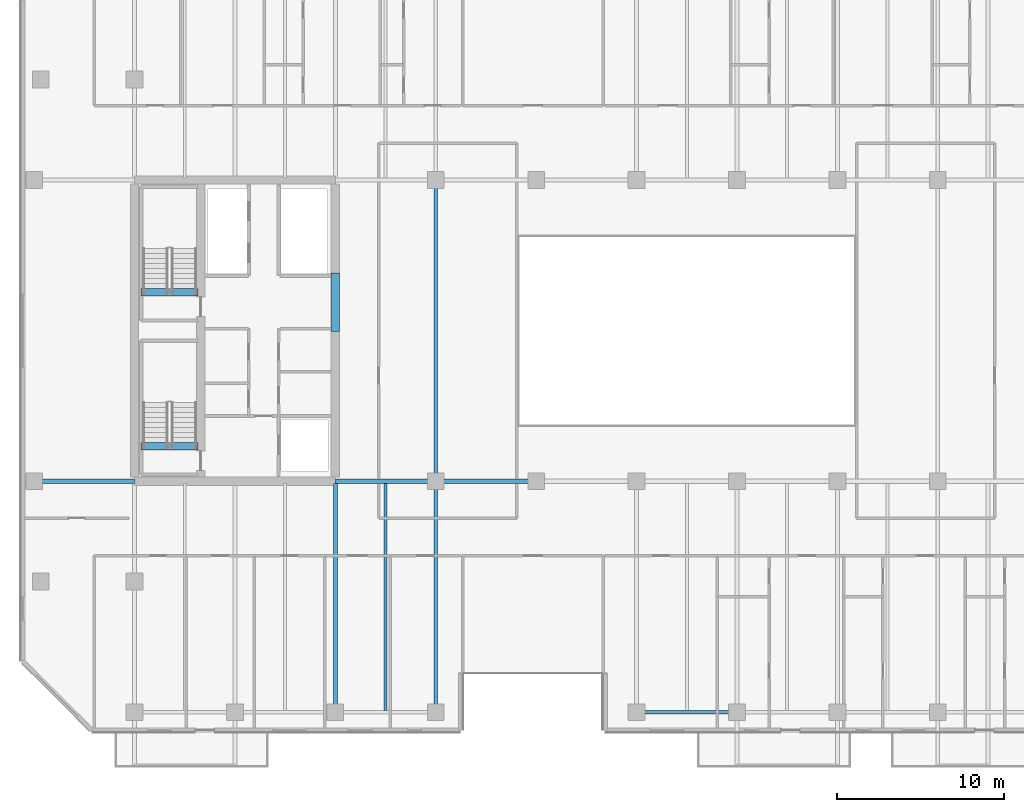
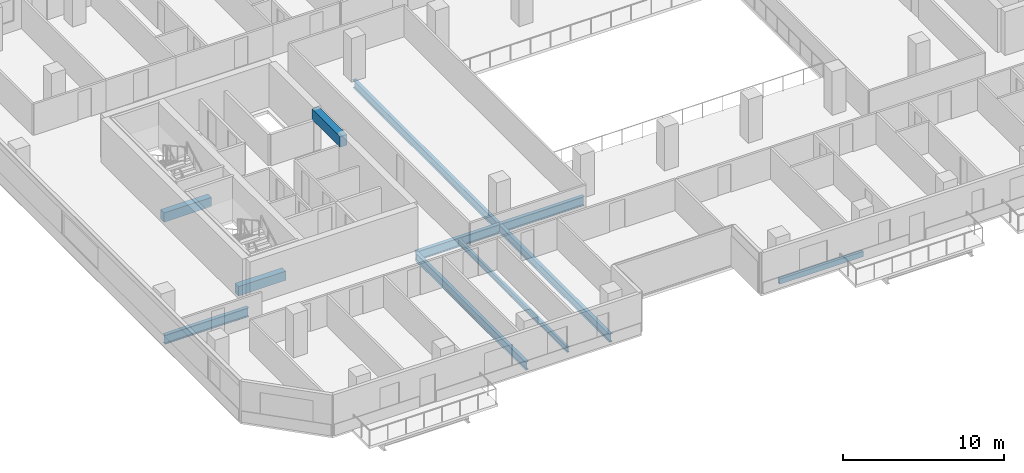
# One storey, part 3 of 23: 11 beams.
"""IFC4 building model written with IfcOpenShell, lengths in metres."""

from ifc_helpers import new_model, si_unit, direction, frame, origin, origin_2d, place, context, subcontext, project, spatial, rectangle, hollow_rectangle, i_section, extrude, material, material_profile, profile_set, type_object, element, save


model = new_model("IFC4")

# Units and contexts
model_context = context("Model", 3, precision=1e-05, world=origin(), true_north=direction((0.0, 1.0)))
body_context = subcontext(model_context, "Body", "Model", "MODEL_VIEW")
ifc_project = project(units=[si_unit("LENGTHUNIT", "METRE"), si_unit("AREAUNIT", "SQUARE_METRE"), si_unit("VOLUMEUNIT", "CUBIC_METRE"), si_unit("PLANEANGLEUNIT", "RADIAN"), si_unit("MASSUNIT", "GRAM", prefix="KILO")], contexts=[model_context])

# Site, building, storey
site_placement = place(None, origin())
site = spatial("IfcSite", under=ifc_project, at=site_placement, CompositionType="ELEMENT")
building_placement = place(site_placement, origin())
building = spatial("IfcBuilding", under=site, at=building_placement, Name="Tanjung Sevakor Pilgrim Tower", CompositionType="ELEMENT")
storey_placement = place(building_placement, frame((0.0, 0.0, 98.669921875)))
storey = spatial("IfcBuildingStorey", under=building, at=storey_placement, Name="L27", CompositionType="ELEMENT", Elevation=98.669921875)

# Beams
ifc_material_1 = material(Name="Steel S355J2", Category="steel")
ifc_material_profile_1 = material_profile(ifc_material_1, i_section(OverallWidth=0.25439453125, OverallDepth=0.6875, WebThickness=0.01318359375, FlangeThickness=0.02099609375, FilletRadius=0.01513671875, at=origin_2d()))
ifc_profile_set_1 = profile_set([ifc_material_profile_1], Name="Steel S355J2")
beam_type_1 = type_object("IfcBeamType", Name="BM-B-G2-UB_686x254x152", PredefinedType="BEAM", material=ifc_profile_set_1)
for number, where, z_axis, x_axis, name in (
    (1, (18.0, 24.60009765625, -0.563720703125), (1.0, 0.0, 0.0), (0.0, 1.0, 0.0), "L27 Primary Floor Girder MAIN Y246-01"),
    (2, (36.0, 24.60009765625, -0.563720703125), (1.0, 0.0, 0.0), (0.0, 1.0, 0.0), "L27 Primary Floor Girder MAIN Y246-02"),
    (3, (42.0, 24.60009765625, -0.563720703125), (1.0, 0.0, 0.0), (0.0, 1.0, 0.0), "L27 Primary Floor Girder MAIN Y246-03"),
):
    element("IfcBeam", number, at=place(storey_placement, frame(where, z_axis=z_axis, x_axis=x_axis)), inside=storey, type_object=beam_type_1, Name=name, PredefinedType="BEAM", context=body_context, shape_type="SweptSolid", body=[
        extrude(i_section(OverallWidth=0.25439453125, OverallDepth=0.6875, WebThickness=0.01318359375, FlangeThickness=0.02099609375, FilletRadius=0.01513671875, at=origin_2d()), origin(), (0.0, 0.0, 1.0), 6.0),
    ])
ifc_material_2 = material(Name="Steel S355J2", Category="steel")
ifc_material_profile_2 = material_profile(ifc_material_2, i_section(OverallWidth=0.230224609375, OverallDepth=0.6171875, WebThickness=0.01318359375, FlangeThickness=0.022216796875, FilletRadius=0.0126953125, at=origin_2d()))
ifc_profile_set_2 = profile_set([ifc_material_profile_2], Name="Steel S355J2")
beam_type_2 = type_object("IfcBeamType", Name="BM-B-G3-UB_610x229x140", PredefinedType="BEAM", material=ifc_profile_set_2)
beam_1_placement = place(storey_placement, frame((36.0, 10.800048828125, -0.528564453125), z_axis=(0.0, 1.0, 0.0), x_axis=(-1.0, 0.0, 0.0)))
element("IfcBeam", 4, at=beam_1_placement, inside=storey, type_object=beam_type_2, Name="L27 MAIN Girder 005", PredefinedType="BEAM", context=body_context, shape_type="SweptSolid", body=[
    extrude(i_section(OverallWidth=0.230224609375, OverallDepth=0.6171875, WebThickness=0.01318359375, FlangeThickness=0.022216796875, FilletRadius=0.0126953125, at=origin_2d()), origin(), (0.0, 0.0, 1.0), 13.672607421875),
])
beam_2_placement = place(storey_placement, frame((42.0, 10.800048828125, -0.528564453125), z_axis=(0.0, 1.0, 0.0), x_axis=(-1.0, 0.0, 0.0)))
element("IfcBeam", 5, at=beam_2_placement, inside=storey, type_object=beam_type_2, Name="L27 MAIN Girder 009", PredefinedType="BEAM", context=body_context, shape_type="SweptSolid", body=[
    extrude(i_section(OverallWidth=0.230224609375, OverallDepth=0.6171875, WebThickness=0.01318359375, FlangeThickness=0.022216796875, FilletRadius=0.0126953125, at=origin_2d()), origin(), (0.0, 0.0, 1.0), 13.800048828125),
])
beam_3_placement = place(storey_placement, frame((42.0, 24.60009765625, -0.528564453125), z_axis=(0.0, 1.0, 0.0), x_axis=(-1.0, 0.0, 0.0)))
element("IfcBeam", 6, at=beam_3_placement, inside=storey, type_object=beam_type_2, Name="L27 MAIN Girder 010", PredefinedType="BEAM", context=body_context, shape_type="SweptSolid", body=[
    extrude(i_section(OverallWidth=0.230224609375, OverallDepth=0.6171875, WebThickness=0.01318359375, FlangeThickness=0.022216796875, FilletRadius=0.0126953125, at=origin_2d()), origin(), (0.0, 0.0, 1.0), 18.0),
])
ifc_material_3 = material(Name="Steel S355J2", Category="steel")
ifc_material_profile_3 = material_profile(ifc_material_3, i_section(OverallWidth=0.1787109375, OverallDepth=0.409423828125, WebThickness=0.0087890625, FlangeThickness=0.014404296875, FilletRadius=0.01025390625, at=origin_2d()))
ifc_profile_set_3 = profile_set([ifc_material_profile_3], Name="Steel S355J2")
beam_type_3 = type_object("IfcBeamType", Name="BM-B-J3-UB_406x178x67", PredefinedType="JOIST", material=ifc_profile_set_3)
beam_4_placement = place(storey_placement, frame((39.0, 10.89990234375, -0.424560546875), z_axis=(0.0, 1.0, 0.0), x_axis=(-1.0, 0.0, 0.0)))
element("IfcBeam", 7, at=beam_4_placement, inside=storey, type_object=beam_type_3, Name="L27 MAIN Joist 007", PredefinedType="JOIST", context=body_context, shape_type="SweptSolid", body=[
    extrude(i_section(OverallWidth=0.1787109375, OverallDepth=0.409423828125, WebThickness=0.0087890625, FlangeThickness=0.014404296875, FilletRadius=0.01025390625, at=origin_2d()), origin(), (0.0, 0.0, 1.0), 13.57275390625),
])
ifc_material_4 = material(Name="Concrete C60/75", Category="concrete")
ifc_material_profile_4 = material_profile(ifc_material_4, rectangle(XDim=0.5, YDim=0.800048828125, at=origin_2d()))
ifc_profile_set_4 = profile_set([ifc_material_profile_4], Name="Concrete C60/75")
beam_type_4 = type_object("IfcBeamType", Name="BM-B-LN2-RC-BM_500x800", PredefinedType="LINTEL", material=ifc_profile_set_4)
beam_5_placement = place(storey_placement, frame((36.0, 33.550048828125, 2.68017578125), z_axis=(0.0, 1.0, 0.0), x_axis=(-1.0, 0.0, 0.0)))
element("IfcBeam", 8, at=beam_5_placement, inside=storey, type_object=beam_type_4, Name="L27 W Core Coupling Lintel", PredefinedType="LINTEL", context=body_context, shape_type="SweptSolid", body=[
    extrude(rectangle(XDim=0.5, YDim=0.800048828125, at=origin_2d()), origin(), (0.0, 0.0, 1.0), 3.5),
])
ifc_material_5 = material(Name="Concrete C60/75", Category="concrete")
ifc_material_profile_5 = material_profile(ifc_material_5, rectangle(XDim=0.449951171875, YDim=0.699951171875, at=origin_2d()))
ifc_profile_set_5 = profile_set([ifc_material_profile_5], Name="Concrete C60/75")
beam_type_5 = type_object("IfcBeamType", Name="BM-B-LN3-RC-BM_450x700", PredefinedType="LINTEL", material=ifc_profile_set_5)
for number, where, z_axis, x_axis, name in (
    (9, (24.39990234375, 26.699951171875, -0.349853515625), (1.0, 0.0, 0.0), (0.0, 1.0, 0.0), "L27 TS-W1 Stair Threshold Beam"),
    (10, (24.39990234375, 35.89990234375, -0.349853515625), (1.0, 0.0, 0.0), (0.0, 1.0, 0.0), "L27 TS-W2 Stair Threshold Beam"),
):
    element("IfcBeam", number, at=place(storey_placement, frame(where, z_axis=z_axis, x_axis=x_axis)), inside=storey, type_object=beam_type_5, Name=name, PredefinedType="LINTEL", context=body_context, shape_type="SweptSolid", body=[
        extrude(rectangle(XDim=0.449951171875, YDim=0.699951171875, at=origin_2d()), origin(), (0.0, 0.0, 1.0), 3.400146484375),
    ])
ifc_material_6 = material(Name="Steel S355J2", Category="steel")
ifc_material_profile_6 = material_profile(ifc_material_6, hollow_rectangle(XDim=0.199951171875, YDim=0.39990234375, WallThickness=0.01611328125, at=origin_2d()))
ifc_profile_set_6 = profile_set([ifc_material_profile_6], Name="Steel S355J2")
beam_type_6 = type_object("IfcBeamType", Name="BM-B-SP2-RHS_400x200x16", PredefinedType="SPANDREL", material=ifc_profile_set_6)
beam_6_placement = place(storey_placement, frame((54.0, 10.800048828125, -0.419921875), z_axis=(1.0, 0.0, 0.0), x_axis=(0.0, 1.0, 0.0)))
element("IfcBeam", 11, at=beam_6_placement, inside=storey, type_object=beam_type_6, Name="L27 Spandrel MAIN S-07", PredefinedType="SPANDREL", context=body_context, shape_type="SweptSolid", body=[
    extrude(hollow_rectangle(XDim=0.199951171875, YDim=0.39990234375, WallThickness=0.01611328125, at=origin_2d()), origin(), (0.0, 0.0, 1.0), 6.0),
])

save(model, "model.ifc")
